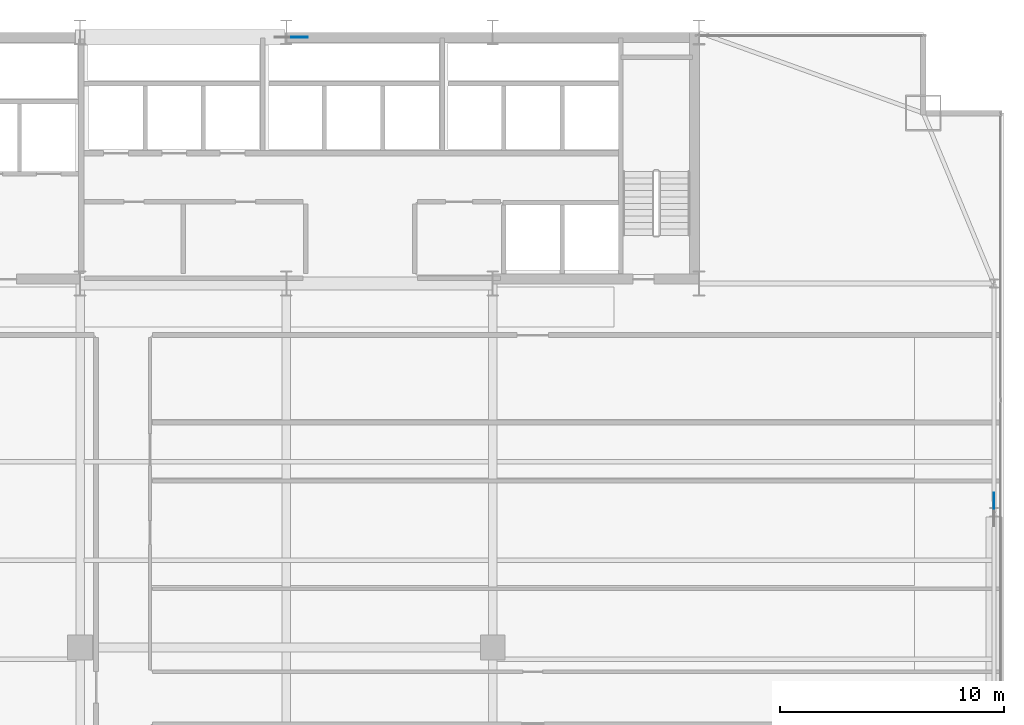
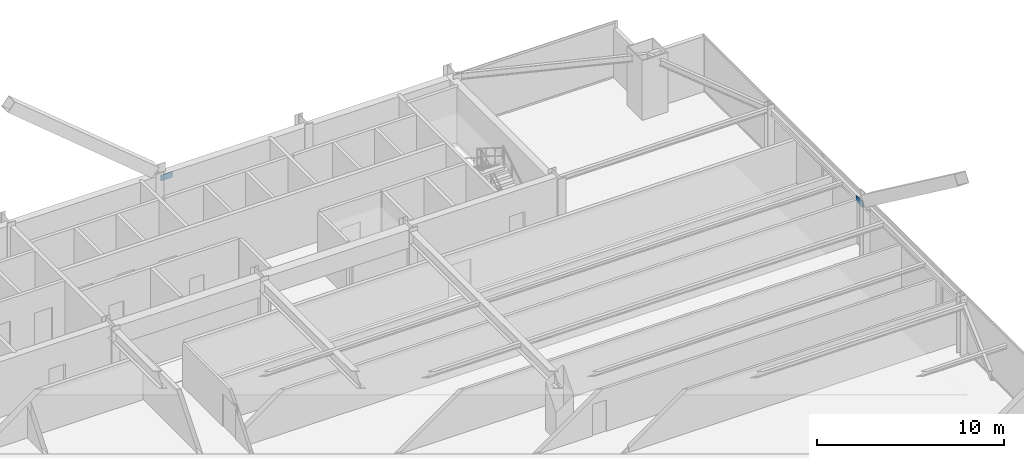
# One storey, part 30 of 35: 2 plates.
"""IFC4 building model written with IfcOpenShell, lengths in metres."""

from ifc_helpers import new_model, si_unit, direction, frame, origin, origin_2d, place, context, subcontext, project, spatial, rectangle, extrude, source, transform, mapped, material, layer, layer_set, type_object, type_shapes, element, save


model = new_model("IFC4")

# Units and contexts
model_context = context("Model", 3, precision=1e-05, world=origin(), true_north=direction((0.0, 1.0)))
body_context = subcontext(model_context, "Body", "Model", "MODEL_VIEW")
ifc_project = project(units=[si_unit("LENGTHUNIT", "METRE"), si_unit("AREAUNIT", "SQUARE_METRE"), si_unit("VOLUMEUNIT", "CUBIC_METRE"), si_unit("PLANEANGLEUNIT", "RADIAN"), si_unit("MASSUNIT", "GRAM", prefix="KILO")], contexts=[model_context])

# Site, building, storey
site_placement = place(None, origin())
site = spatial("IfcSite", under=ifc_project, at=site_placement, CompositionType="ELEMENT")
building_placement = place(site_placement, origin())
building = spatial("IfcBuilding", under=site, at=building_placement, Name="Varnel Quay Broadcast Tower", CompositionType="ELEMENT")
storey_placement = place(building_placement, frame((0.0, 0.0, 31.5)))
storey = spatial("IfcBuildingStorey", under=building, at=storey_placement, Name="L06", CompositionType="ELEMENT", Elevation=31.5)

# Plates
ifc_material = material(Name="Structural Steel CSA G40.21 350WT", Category="steel")
ifc_layer = layer(ifc_material, 0.031982421875, Name="Structural Steel CSA G40.21 350WT")
ifc_layer_set = layer_set([ifc_layer], Name="Structural Steel CSA G40.21 350WT")
plate_type = type_object("IfcPlateType", Name="Plate_EndCap", PredefinedType="USERDEFINED", material=ifc_layer_set)
shared_shape = source(origin(), body_context, "Body", "SweptSolid", [
    extrude(rectangle(XDim=0.719970703125, YDim=0.031982421875, at=origin_2d()), origin(), (0.0, 0.0, 1.0), 0.3798828125),
])
type_shapes(plate_type, [shared_shape])
for number, where, z_axis, x_axis, name in (
    (1, (34.5849609375, 46.580078125, 3.098388671875), (0.0, 0.0, 1.0), (1.0, 0.0, 0.0), "Zone 1 Mega-Brace N-CT1 Diag B1 End Connection Plate P1"),
    (2, (65.550048828125, 25.91845703125, 3.12548828125), (0.0, 0.0, 1.0), (0.0, 1.0, 0.0), "Zone 1 Mega-Brace E-FT1 Diag B1 End Connection Plate P1"),
):
    element("IfcPlate", number, at=place(storey_placement, frame(where, z_axis=z_axis, x_axis=x_axis)), inside=storey, type_object=plate_type, Name=name, ObjectType="CAP_PLATE", PredefinedType="USERDEFINED", context=body_context, shape_type="MappedRepresentation", body=[
        mapped(shared_shape, transform((0.0, 0.0, 0.0), x_axis=(1.0, 0.0, 0.0), y_axis=(0.0, 1.0, 0.0), z_axis=(0.0, 0.0, 1.0), scale=1.0)),
    ])

save(model, "model.ifc")
